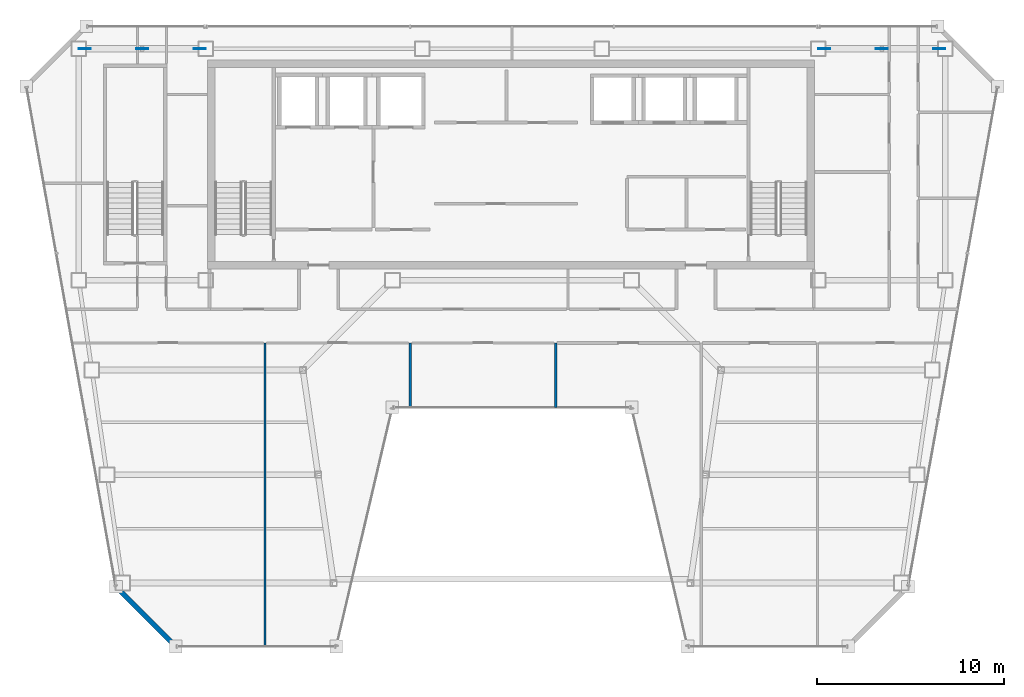
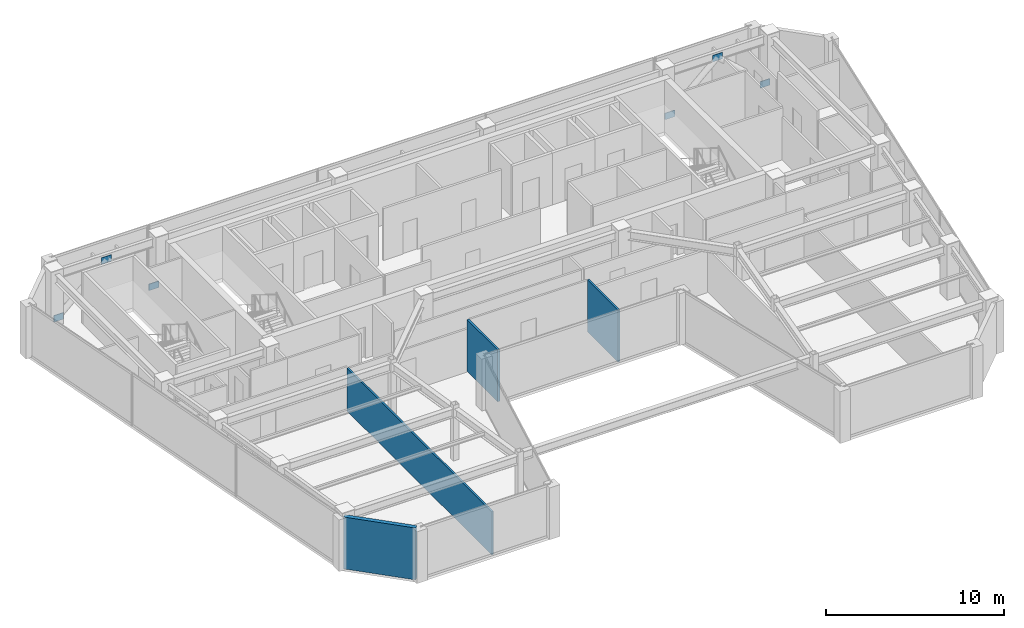
# One storey, part 26 of 32: 6 plates, 4 walls.
"""IFC4 building model written with IfcOpenShell, lengths in metres."""

from ifc_helpers import new_model, si_unit, direction, frame, frame_2d, origin, origin_2d, place, context, subcontext, project, spatial, rectangle, extrude, material, layer, layer_set, type_object, element, save


model = new_model("IFC4")

# Units and contexts
model_context = context("Model", 3, precision=1e-05, world=origin(), true_north=direction((0.0, 1.0)))
body_context = subcontext(model_context, "Body", "Model", "MODEL_VIEW")
ifc_project = project(units=[si_unit("LENGTHUNIT", "METRE"), si_unit("AREAUNIT", "SQUARE_METRE"), si_unit("VOLUMEUNIT", "CUBIC_METRE"), si_unit("PLANEANGLEUNIT", "RADIAN"), si_unit("MASSUNIT", "GRAM", prefix="KILO")], contexts=[model_context])

# Site, building, storey
site_placement = place(None, origin())
site = spatial("IfcSite", under=ifc_project, at=site_placement, CompositionType="ELEMENT")
building_placement = place(site_placement, origin())
building = spatial("IfcBuilding", under=site, at=building_placement, Name="Saevonmaru Cultural Tower", CompositionType="ELEMENT")
storey_placement = place(building_placement, frame((0.0, 0.0, 257.199951171875)))
storey = spatial("IfcBuildingStorey", under=building, at=storey_placement, Name="L60", CompositionType="ELEMENT", Elevation=257.199951171875)

# Plates
ifc_material_1 = material(Name="Steel HSA600 (600 MPa)", Category="steel")
ifc_layer_1 = layer(ifc_material_1, 0.0400390625, Name="Steel HSA600 (600 MPa)")
ifc_layer_set_1 = layer_set([ifc_layer_1], Name="Steel HSA600 (600 MPa)")
plate_type = type_object("IfcPlateType", Name="PL-GUSSET-EXT", PredefinedType="USERDEFINED", material=ifc_layer_set_1)
for number, where, z_axis, x_axis, name in (
    (1, (10.199951171875, 54.800048828125, 2.900146484375), (0.0, 0.0, 1.0), (1.0, 0.0, 0.0), "L60 Perimeter Tube Gusset Plate"),
    (2, (7.1201171875, 54.800048828125, 0.02001953125), (0.0, 0.0, 1.0), (1.0, 0.0, 0.0), "L60 Perimeter Tube Gusset Plate"),
    (3, (13.280029296875, 54.800048828125, 0.02001953125), (0.0, 0.0, 1.0), (1.0, 0.0, 0.0), "L60 Perimeter Tube Gusset Plate"),
    (4, (49.800048828125, 54.800048828125, 2.900146484375), (0.0, 0.0, 1.0), (1.0, 0.0, 0.0), "L60 Perimeter Tube Gusset Plate"),
    (5, (46.719970703125, 54.800048828125, 0.02001953125), (0.0, 0.0, 1.0), (1.0, 0.0, 0.0), "L60 Perimeter Tube Gusset Plate"),
    (6, (52.8798828125, 54.800048828125, 0.02001953125), (0.0, 0.0, 1.0), (1.0, 0.0, 0.0), "L60 Perimeter Tube Gusset Plate"),
):
    element("IfcPlate", number, at=place(storey_placement, frame(where, z_axis=z_axis, x_axis=x_axis)), inside=storey, type_object=plate_type, Name=name, ObjectType="GUSSET_PLATE", PredefinedType="USERDEFINED", context=body_context, shape_type="SweptSolid", body=[
        extrude(rectangle(XDim=0.639892578125, YDim=0.0400390625, at=origin_2d()), origin(), (0.0, 0.0, 1.0), 0.43994140625),
    ])

# Walls
ifc_material_2 = material(Name="Granite-Clad Precast Concrete C40/50", Category="masonry")
ifc_layer_2 = layer(ifc_material_2, 0.260009765625, Name="Granite-Clad Precast Concrete C40/50")
ifc_layer_set_2 = layer_set([ifc_layer_2], Name="Granite-Clad Precast Concrete C40/50")
wall_type_1 = type_object("IfcWallType", Name="WL-EXT-SPANDREL-260", PredefinedType="STANDARD", material=ifc_layer_set_2)
wall_1_placement = place(storey_placement, frame((8.90869140625, 25.886962890625, 0.0), z_axis=(0.0, 0.0, 1.0), x_axis=(0.707106781187, -0.707106781187, 0.0)))
element("IfcWall", 7, at=wall_1_placement, inside=storey, type_object=wall_type_1, Name="L60 Chamfer Corner Spandrel Wall E1", PredefinedType="STANDARD", context=body_context, shape_type="SweptSolid", body=[
    extrude(rectangle(XDim=4.205810546875, YDim=0.260009765625, at=frame_2d((2.10302734375, 0.0))), origin(), (0.0, 0.0, 1.0), 3.550048828125),
])
ifc_material_3 = material(Name="Gypsum Fireboard Partition", Category="gypsum")
ifc_layer_3 = layer(ifc_material_3, 0.1201171875, Name="Gypsum Fireboard Partition")
ifc_layer_set_3 = layer_set([ifc_layer_3], Name="Gypsum Fireboard Partition")
wall_type_2 = type_object("IfcWallType", Name="WL-PART-GYP-120", PredefinedType="PARTITIONING", material=ifc_layer_set_3)
wall_2_placement = place(storey_placement, frame((16.77001953125, 22.804931640625, 0.0), z_axis=(0.0, 0.0, 1.0), x_axis=(0.0, 1.0, 0.0)))
element("IfcWall", 8, at=wall_2_placement, inside=storey, type_object=wall_type_2, Name="L60 Observatory Bay Divider 1", PredefinedType="PARTITIONING", context=body_context, shape_type="SweptSolid", body=[
    extrude(rectangle(XDim=16.2451171875, YDim=0.1201171875, at=frame_2d((8.12255859375, 0.0))), origin(), (0.0, 0.0, 1.0), 2.947021484375),
])
wall_3_placement = place(storey_placement, frame((32.340087890625, 35.60498046875, 0.0), z_axis=(0.0, 0.0, 1.0), x_axis=(0.0, 1.0, 0.0)))
element("IfcWall", 9, at=wall_3_placement, inside=storey, type_object=wall_type_2, Name="L60 Observatory Bay Divider 3", PredefinedType="PARTITIONING", context=body_context, shape_type="SweptSolid", body=[
    extrude(rectangle(XDim=3.445068359375, YDim=0.1201171875, at=frame_2d((1.72265625, 0.0))), origin(), (0.0, 0.0, 1.0), 3.550048828125),
])
ifc_layer_4 = layer(ifc_material_3, 0.135009765625, Name="Gypsum Fireboard Partition")
ifc_layer_set_4 = layer_set([ifc_layer_4], Name="Gypsum Fireboard Partition")
wall_type_3 = type_object("IfcWallType", Name="WL-PART-GYP-135", PredefinedType="PARTITIONING", material=ifc_layer_set_4)
wall_4_placement = place(storey_placement, frame((24.550048828125, 35.60498046875, 0.0), z_axis=(0.0, 0.0, 1.0), x_axis=(0.0, 1.0, 0.0)))
element("IfcWall", 10, at=wall_4_placement, inside=storey, type_object=wall_type_3, Name="L60 Observatory Bay Divider 2", PredefinedType="PARTITIONING", context=body_context, shape_type="SweptSolid", body=[
    extrude(rectangle(XDim=3.445068359375, YDim=0.135009765625, at=frame_2d((1.72265625, 0.0))), origin(), (0.0, 0.0, 1.0), 3.550048828125),
])

save(model, "model.ifc")
